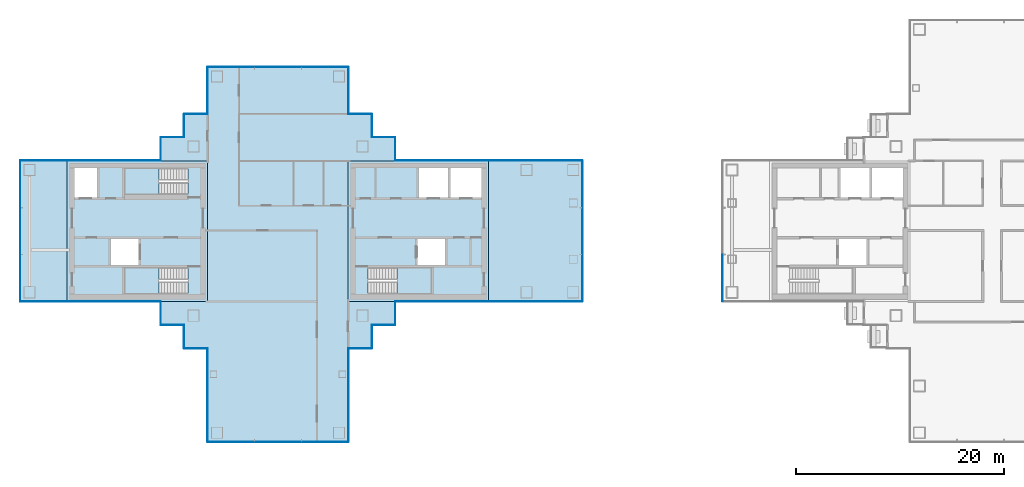
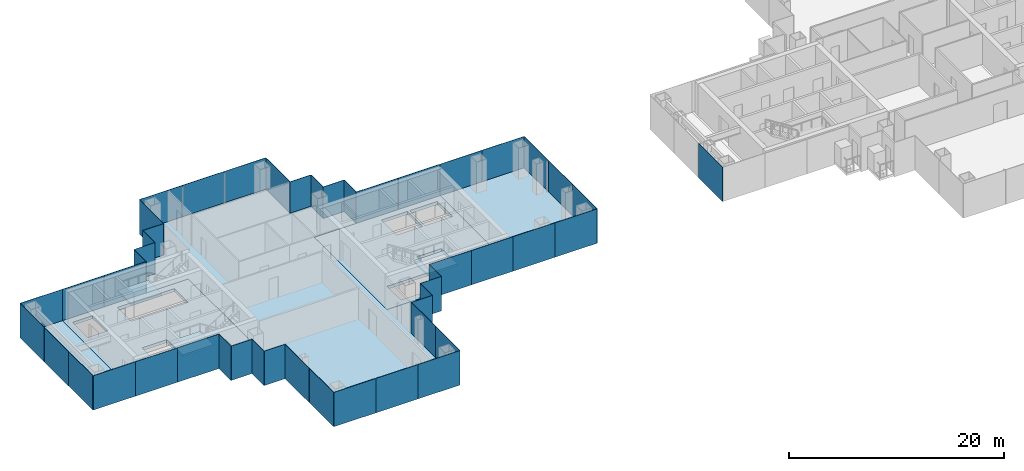
# One storey, part 7 of 16: 49 plates, 8 slabs, 24 elements without a shape of their own.
"""IFC4 building model written with IfcOpenShell, lengths in metres."""

import ifcopenshell
import ifcopenshell.guid

model = None  # the IFC model being written
_history = None  # IfcOwnerHistory: only IFC2X3 demands one
_inside = {}  # id of a spatial element -> (the spatial element, [elements in it])
_under = {}  # id of a project, library or spatial element -> (it, [spatial elements below it])
_declared = {}  # id of a project -> (the project, [libraries it declares])
_typed = {}  # id of a type object -> (the type object, [elements of that type])
_made_of = {}  # id of a material, layer set ... -> (it, [elements and type objects made of it])


def new_model(schema):
    """Start an empty IFC model of exactly this schema.

    Asked for "IFC4X3", IfcOpenShell would pick the latest addendum, in which some entities
    have other attributes; the version numbers below select the first issue.
    IFC2X3 requires an IfcOwnerHistory on every rooted entity: one is made here for all.
    """
    global model, _history
    if schema == "IFC4X3":
        model = ifcopenshell.file(schema_version=(4, 3, 0, 0))
    else:
        model = ifcopenshell.file(schema=schema)
    _inside.clear()
    _under.clear()
    _declared.clear()
    _typed.clear()
    _made_of.clear()
    _history = None
    if model.schema == "IFC2X3":
        org = make("IfcOrganization", Name="unknown")
        user = make(
            "IfcPersonAndOrganization",
            ThePerson=make("IfcPerson", FamilyName="unknown"),
            TheOrganization=org,
        )
        app = make(
            "IfcApplication",
            ApplicationDeveloper=org,
            Version="unknown",
            ApplicationFullName="unknown",
            ApplicationIdentifier="unknown",
        )
        _history = make(
            "IfcOwnerHistory",
            OwningUser=user,
            OwningApplication=app,
            ChangeAction="ADDED",
            CreationDate=0,
        )
    return model


def make(cls, **values):
    """One entity of the class cls with the attributes given. An attribute that is None is left unset."""
    return model.create_entity(
        cls, **{name: value for name, value in values.items() if value is not None}
    )


def rooted(cls, **values):
    """An entity with a GlobalId (a new one), such as an element, a storey or a relation."""
    return make(cls, GlobalId=ifcopenshell.guid.new(), OwnerHistory=_history, **values)


def si_unit(unit_type, name, prefix=None):
    """IfcSIUnit, for example si_unit("LENGTHUNIT", "METRE", prefix="MILLI")."""
    return make("IfcSIUnit", UnitType=unit_type, Prefix=prefix, Name=name)


def assignment(units):
    """IfcUnitAssignment: the units of a project."""
    return None if units is None else make("IfcUnitAssignment", Units=units)


def point(xyz):
    """IfcCartesianPoint."""
    return None if xyz is None else make("IfcCartesianPoint", Coordinates=xyz)


def direction(xyz):
    """IfcDirection."""
    return None if xyz is None else make("IfcDirection", DirectionRatios=xyz)


def frame(location, z_axis=None, x_axis=None):
    """IfcAxis2Placement3D, a coordinate frame: its origin and axes. An axis left out is left unset."""
    return make(
        "IfcAxis2Placement3D",
        Location=point(location),
        Axis=direction(z_axis),
        RefDirection=direction(x_axis),
    )


def frame_2d(location, x_axis=None):
    """IfcAxis2Placement2D, a coordinate frame in the plane: its origin and x axis."""
    return make(
        "IfcAxis2Placement2D", Location=point(location), RefDirection=direction(x_axis)
    )


def origin():
    """The frame at (0, 0, 0) with its axes left unset."""
    return frame((0.0, 0.0, 0.0))


def origin_2d():
    """The frame at (0, 0) in the plane with its x axis left unset."""
    return frame_2d((0.0, 0.0))


def place(relative_to, where):
    """IfcLocalPlacement: puts the frame where relative to a parent placement (None: the world)."""
    return make(
        "IfcLocalPlacement", PlacementRelTo=relative_to, RelativePlacement=where
    )


def context(
    kind, dimensions, precision=None, world=None, true_north=None, identifier=None
):
    """IfcGeometricRepresentationContext, for example the 3D "Model" context."""
    return make(
        "IfcGeometricRepresentationContext",
        ContextIdentifier=identifier,
        ContextType=kind,
        CoordinateSpaceDimension=dimensions,
        Precision=precision,
        WorldCoordinateSystem=world,
        TrueNorth=true_north,
    )


def subcontext(parent, identifier, kind, view, scale=None):
    """IfcGeometricRepresentationSubContext, for example "Body" below "Model"."""
    return make(
        "IfcGeometricRepresentationSubContext",
        ContextIdentifier=identifier,
        ContextType=kind,
        ParentContext=parent,
        TargetScale=scale,
        TargetView=view,
    )


def project(units=None, contexts=None):
    """IfcProject with its units and contexts."""
    return rooted(
        "IfcProject",
        Name="project",
        RepresentationContexts=contexts,
        UnitsInContext=assignment(units),
    )


def spatial(cls, under=None, at=None, **own):
    """A site, building, storey or space (cls), placed at a placement, below another one or the project."""
    s = rooted(cls, ObjectPlacement=at, **own)
    if under is not None:
        _under.setdefault(under.id(), (under, []))[1].append(s)
    return s


def polyline(points):
    """IfcPolyline through the points."""
    return make("IfcPolyline", Points=[point(p) for p in points])


def profile(cls, at=None, kind="AREA", **sizes):
    """A parametric profile (cls). Its sizes go by their IFC names, for example OverallWidth=200.0."""
    return make(cls, ProfileType=kind, Position=at, **sizes)


def rectangle(**sizes):
    """IfcRectangleProfileDef."""
    return profile("IfcRectangleProfileDef", **sizes)


def outline(outer, holes=None, kind="AREA"):
    """IfcArbitraryClosedProfileDef: a profile drawn as a closed curve; with holes, ...WithVoids."""
    if holes is None:
        return make("IfcArbitraryClosedProfileDef", ProfileType=kind, OuterCurve=outer)
    return make(
        "IfcArbitraryProfileDefWithVoids",
        ProfileType=kind,
        OuterCurve=outer,
        InnerCurves=holes,
    )


def extrude(swept, where, along, depth):
    """IfcExtrudedAreaSolid: the profile swept, set in the frame where, extruded along a direction by depth."""
    return make(
        "IfcExtrudedAreaSolid",
        SweptArea=swept,
        Position=where,
        ExtrudedDirection=direction(along),
        Depth=depth,
    )


def shape(context_of_items, identifier, shape_type, items):
    """IfcShapeRepresentation: the items that make up one representation, for example the "Body"."""
    return make(
        "IfcShapeRepresentation",
        ContextOfItems=context_of_items,
        RepresentationIdentifier=identifier,
        RepresentationType=shape_type,
        Items=items,
    )


def material(Name=None, Category=None):
    """IfcMaterial."""
    return make("IfcMaterial", Name=Name, Category=Category)


def layer(
    of_material, thickness, ventilated=None, Name=None, Category=None, Priority=None
):
    """IfcMaterialLayer: one layer of a wall or slab, of a material (None: an air gap)."""
    return make(
        "IfcMaterialLayer",
        Material=of_material,
        LayerThickness=thickness,
        IsVentilated=ventilated,
        Name=Name,
        Category=Category,
        Priority=Priority,
    )


def layer_set(layers, Name=None):
    """IfcMaterialLayerSet."""
    return make("IfcMaterialLayerSet", MaterialLayers=layers, LayerSetName=Name)


def made_of(thing, what):
    """Note that an element or type object is made of a material, layer set ...; save() writes the relation."""
    if what is not None:
        _made_of.setdefault(what.id(), (what, []))[1].append(thing)
    return thing


def type_object(cls, material=None, **own):
    """A type object (cls), such as IfcWallType, which elements share."""
    return made_of(rooted(cls, **own), material)


def element(
    cls,
    number,
    at=None,
    inside=None,
    cuts=None,
    type_object=None,
    material=None,
    context=None,
    identifier="Body",
    shape_type=None,
    held_by="IfcProductDefinitionShape",
    body=None,
    shapes=None,
    **own,
):
    """One element of the class cls, such as IfcWall. Its Tag is "e" and its number.

    at: its placement. inside: the storey or other place that contains it. cuts: it is an
    opening in that element (IfcRelVoidsElement). A single representation is given by context,
    identifier, shape_type and body (its items); several are given by shapes. held_by: the class
    of the entity that holds the representations. save() writes the other relations.
    """
    e = rooted(cls, Tag="e%d" % number, ObjectPlacement=at, **own)
    if body is not None:
        shapes = [shape(context, identifier, shape_type, body)]
    if shapes is not None:
        e.Representation = make(held_by, Representations=shapes)
    if inside is not None:
        _inside.setdefault(inside.id(), (inside, []))[1].append(e)
    if cuts is not None:
        rooted(
            "IfcRelVoidsElement", RelatingBuildingElement=cuts, RelatedOpeningElement=e
        )
    if type_object is not None:
        _typed.setdefault(type_object.id(), (type_object, []))[1].append(e)
    return made_of(e, material)


def aggregate(whole, parts):
    """IfcRelAggregates: a whole, such as a stair, and the parts it consists of."""
    return rooted("IfcRelAggregates", RelatingObject=whole, RelatedObjects=parts)


def save(model, path):
    """Write the relations noted so far, then the file.

    IfcRelAggregates (storeys below a building ...), IfcRelContainedInSpatialStructure (elements
    in a storey), IfcRelDefinesByType, IfcRelAssociatesMaterial and IfcRelDeclares: one each for
    every whole, place, type object, material and project.
    """
    for whole, parts in _under.values():
        aggregate(whole, parts)
    for where, things in _inside.values():
        rooted(
            "IfcRelContainedInSpatialStructure",
            RelatedElements=things,
            RelatingStructure=where,
        )
    for kind, things in _typed.values():
        rooted("IfcRelDefinesByType", RelatedObjects=things, RelatingType=kind)
    for what, things in _made_of.values():
        rooted("IfcRelAssociatesMaterial", RelatedObjects=things, RelatingMaterial=what)
    for by, libraries in _declared.values():
        rooted("IfcRelDeclares", RelatingContext=by, RelatedDefinitions=libraries)
    model.write(path)


model = new_model("IFC4")

# Units and contexts
model_context = context("Model", 3, precision=1e-05, world=origin(), true_north=direction((0.0, 1.0)))
body_context = subcontext(model_context, "Body", "Model", "MODEL_VIEW")
ifc_project = project(units=[si_unit("LENGTHUNIT", "METRE"), si_unit("AREAUNIT", "SQUARE_METRE"), si_unit("VOLUMEUNIT", "CUBIC_METRE"), si_unit("PLANEANGLEUNIT", "RADIAN"), si_unit("MASSUNIT", "GRAM", prefix="KILO")], contexts=[model_context])

# Site, building, storey
site_placement = place(None, origin())
site = spatial("IfcSite", under=ifc_project, at=site_placement, CompositionType="ELEMENT")
building_placement = place(site_placement, origin())
building = spatial("IfcBuilding", under=site, at=building_placement, Name="Shamsa Quay Exchange Towers", CompositionType="ELEMENT")
storey_placement = place(building_placement, frame((0.0, 0.0, 138.89990234375)))
storey = spatial("IfcBuildingStorey", under=building, at=storey_placement, Name="L32", CompositionType="ELEMENT", Elevation=138.89990234375)

# Slabs
ifc_material_1 = material(Name="Concrete C50/60", Category="concrete")
ifc_layer_1 = layer(ifc_material_1, 0.35009765625)
ifc_layer_set_1 = layer_set([ifc_layer_1], Name="CORE FLOOR 350 C50/60")
slab_type_1 = type_object("IfcSlabType", Name="CORE FLOOR 350 C50/60", PredefinedType="FLOOR", material=ifc_layer_set_1)
slab_1_placement = place(storey_placement, frame((0.0, 0.0, -0.349853515625)))
element("IfcSlab", 1, at=slab_1_placement, inside=storey, type_object=slab_type_1, Name="Core floor T1A", PredefinedType="FLOOR", context=body_context, shape_type="SweptSolid", body=[
    extrude(outline(polyline([(-27.0, -6.75), (-13.5, -6.75), (-13.5, 6.75), (-27.0, 6.75), (-27.0, -6.75)]), holes=[polyline([(-25.099365234375, -6.050048828125), (-25.099365234375, -3.5), (-19.0, -3.5), (-19.0, -6.050048828125), (-25.099365234375, -6.050048828125)]), polyline([(-20.199951171875, 3.25), (-20.199951171875, 6.050048828125), (-17.39990234375, 6.050048828125), (-17.39990234375, 3.25), (-20.199951171875, 3.25)]), polyline([(-17.14990234375, 3.25), (-17.14990234375, 6.050048828125), (-14.199951171875, 6.050048828125), (-14.199951171875, 3.25), (-17.14990234375, 3.25)]), polyline([(-20.35009765625, -3.25), (-20.35009765625, -0.75), (-17.699951171875, -0.75), (-17.699951171875, -3.25), (-20.35009765625, -3.25)])]), origin(), (0.0, 0.0, 1.0), 0.349853515625),
])
slab_2_placement = place(storey_placement, frame((0.0, 0.0, -0.349853515625)))
element("IfcSlab", 2, at=slab_2_placement, inside=storey, type_object=slab_type_1, Name="Core floor T1B", PredefinedType="FLOOR", context=body_context, shape_type="SweptSolid", body=[
    extrude(outline(polyline([(-40.5, -6.75), (-40.5, 6.75), (-54.0, 6.75), (-54.0, -6.75), (-40.5, -6.75)]), holes=[polyline([(-42.400634765625, -3.5), (-42.400634765625, -6.050048828125), (-48.5, -6.050048828125), (-48.5, -3.5), (-42.400634765625, -3.5)]), polyline([(-42.400634765625, 6.050048828125), (-42.400634765625, 3.5), (-48.5, 3.5), (-48.5, 6.050048828125), (-42.400634765625, 6.050048828125)]), polyline([(-51.14990234375, 3.25), (-53.300048828125, 3.25), (-53.300048828125, 6.050048828125), (-51.14990234375, 6.050048828125), (-51.14990234375, 3.25)]), polyline([(-47.14990234375, -3.25), (-49.800048828125, -3.25), (-49.800048828125, -0.75), (-47.14990234375, -0.75), (-47.14990234375, -3.25)])]), origin(), (0.0, 0.0, 1.0), 0.349853515625),
])

# Stair, slab
ifc_material_2 = material(Name="Concrete C40/50", Category="concrete")
stair_type = type_object("IfcStairType", Name="EXIT STAIR 22 RISERS 177 MM", PredefinedType="HALF_TURN_STAIR", material=ifc_material_2)
stair_1_placement = place(storey_placement, origin())
stair_1 = element("IfcStair", 3, at=stair_1_placement, inside=storey, type_object=stair_type, Name="L32 Exit stair ST1", PredefinedType="HALF_TURN_STAIR")
ifc_layer_2 = layer(ifc_material_2, 0.199951171875)
ifc_layer_set_2 = layer_set([ifc_layer_2], Name="CORE STAIR LANDING")
slab_type_2 = type_object("IfcSlabType", Name="CORE STAIR LANDING", PredefinedType="LANDING", material=ifc_layer_set_2)
slab_3_placement = place(storey_placement, frame((0.0, 0.0, 1.75)))
slab_3 = element("IfcSlab", 4, at=slab_3_placement, type_object=slab_type_2, Name="ST1 landing 1", PredefinedType="LANDING", context=body_context, shape_type="SweptSolid", body=[
    extrude(outline(polyline([(-22.300048828125, -6.050048828125), (-19.0, -6.050048828125), (-19.0, -3.5), (-22.300048828125, -3.5), (-22.300048828125, -6.050048828125)])), origin(), (0.0, 0.0, 1.0), 0.2001953125),
])
aggregate(stair_1, [slab_3])

stair_2_placement = place(storey_placement, origin())
stair_2 = element("IfcStair", 5, at=stair_2_placement, inside=storey, type_object=stair_type, Name="L32 Exit stair ST2", PredefinedType="HALF_TURN_STAIR")
slab_4_placement = place(storey_placement, frame((0.0, 0.0, 1.75)))
slab_4 = element("IfcSlab", 6, at=slab_4_placement, type_object=slab_type_2, Name="ST2 landing 1", PredefinedType="LANDING", context=body_context, shape_type="SweptSolid", body=[
    extrude(outline(polyline([(-45.199951171875, -3.5), (-48.5, -3.5), (-48.5, -6.050048828125), (-45.199951171875, -6.050048828125), (-45.199951171875, -3.5)])), origin(), (0.0, 0.0, 1.0), 0.2001953125),
])
aggregate(stair_2, [slab_4])

stair_3_placement = place(storey_placement, origin())
stair_3 = element("IfcStair", 7, at=stair_3_placement, inside=storey, type_object=stair_type, Name="L32 Exit stair ST3", PredefinedType="HALF_TURN_STAIR")
slab_5_placement = place(storey_placement, frame((0.0, 0.0, 1.75)))
slab_5 = element("IfcSlab", 8, at=slab_5_placement, type_object=slab_type_2, Name="ST3 landing 1", PredefinedType="LANDING", context=body_context, shape_type="SweptSolid", body=[
    extrude(outline(polyline([(-45.199951171875, 6.050048828125), (-48.5, 6.050048828125), (-48.5, 3.5), (-45.199951171875, 3.5), (-45.199951171875, 6.050048828125)])), origin(), (0.0, 0.0, 1.0), 0.2001953125),
])
aggregate(stair_3, [slab_5])

# Curtain wall, plates
ifc_material_3 = material(Name="Aluminium EN AW-6063 T6, black anodised", Category="aluminium")
ifc_layer_3 = layer(ifc_material_3, 0.280029296875)
ifc_layer_set_3 = layer_set([ifc_layer_3], Name="CW-1 UNITISED VISION GLASS")
curtain_wall_type_1 = type_object("IfcCurtainWallType", Name="CW-1 UNITISED VISION GLASS", PredefinedType="NOTDEFINED", material=ifc_layer_set_3)
curtain_wall_1_placement = place(storey_placement, origin())
curtain_wall_1 = element("IfcCurtainWall", 9, at=curtain_wall_1_placement, inside=storey, type_object=curtain_wall_type_1, Name="CW1 T1-FLK-V-W L32", PredefinedType="NOTDEFINED")
ifc_material_4 = material(Name="Glass, laminated, dark tinted", Category="glass")
ifc_layer_4 = layer(ifc_material_4, 0.0400390625)
ifc_layer_set_4 = layer_set([ifc_layer_4], Name="CW-1 VISION GLASS 40")
plate_type_1 = type_object("IfcPlateType", Name="CW-1 VISION GLASS 40", PredefinedType="CURTAIN_PANEL", material=ifc_layer_set_4)
plate_1_placement = place(storey_placement, frame((-40.52001953125, -13.52587890625, -0.349853515625), z_axis=(0.0, 0.0, 1.0), x_axis=(0.0, -1.0, 0.0)))
plate_1 = element("IfcPlate", 10, at=plate_1_placement, type_object=plate_type_1, Name="CW1 glass panel", PredefinedType="CURTAIN_PANEL", context=body_context, shape_type="SweptSolid", body=[
    extrude(rectangle(XDim=4.47607421875, YDim=0.0400390625, at=origin_2d()), origin(), (0.0, 0.0, 1.0), 3.89990234375),
])
plate_2_placement = place(storey_placement, frame((-40.52001953125, -18.011962890625, -0.349853515625), z_axis=(0.0, 0.0, 1.0), x_axis=(0.0, -1.0, 0.0)))
plate_2 = element("IfcPlate", 11, at=plate_2_placement, type_object=plate_type_1, Name="CW1 glass panel", PredefinedType="CURTAIN_PANEL", context=body_context, shape_type="SweptSolid", body=[
    extrude(rectangle(XDim=4.47607421875, YDim=0.0400390625, at=origin_2d()), origin(), (0.0, 0.0, 1.0), 3.89990234375),
])
aggregate(curtain_wall_1, [plate_1, plate_2])

curtain_wall_2_placement = place(storey_placement, origin())
curtain_wall_2 = element("IfcCurtainWall", 12, at=curtain_wall_2_placement, inside=storey, type_object=curtain_wall_type_1, Name="CW1 T1-END-V- L32", PredefinedType="NOTDEFINED")
plate_3_placement = place(storey_placement, frame((-38.25244140625, -20.27001953125, -0.349853515625)))
plate_3 = element("IfcPlate", 13, at=plate_3_placement, type_object=plate_type_1, Name="CW1 glass panel", PredefinedType="CURTAIN_PANEL", context=body_context, shape_type="SweptSolid", body=[
    extrude(rectangle(XDim=4.4951171875, YDim=0.0400390625, at=origin_2d()), origin(), (0.0, 0.0, 1.0), 3.89990234375),
])
plate_4_placement = place(storey_placement, frame((-33.75, -20.27001953125, -0.349853515625)))
plate_4 = element("IfcPlate", 14, at=plate_4_placement, type_object=plate_type_1, Name="CW1 glass panel", PredefinedType="CURTAIN_PANEL", context=body_context, shape_type="SweptSolid", body=[
    extrude(rectangle(XDim=4.489990234375, YDim=0.0400390625, at=origin_2d()), origin(), (0.0, 0.0, 1.0), 3.89990234375),
])
plate_5_placement = place(storey_placement, frame((-29.24755859375, -20.27001953125, -0.349853515625)))
plate_5 = element("IfcPlate", 15, at=plate_5_placement, type_object=plate_type_1, Name="CW1 glass panel", PredefinedType="CURTAIN_PANEL", context=body_context, shape_type="SweptSolid", body=[
    extrude(rectangle(XDim=4.4951171875, YDim=0.0400390625, at=origin_2d()), origin(), (0.0, 0.0, 1.0), 3.89990234375),
])
aggregate(curtain_wall_2, [plate_3, plate_4, plate_5])

curtain_wall_3_placement = place(storey_placement, origin())
curtain_wall_3 = element("IfcCurtainWall", 16, at=curtain_wall_3_placement, inside=storey, type_object=curtain_wall_type_1, Name="CW1 T1-FLK-V-E L32", PredefinedType="NOTDEFINED")
plate_6_placement = place(storey_placement, frame((-26.97998046875, -18.00244140625, -0.349853515625), z_axis=(0.0, 0.0, 1.0), x_axis=(0.0, 1.0, 0.0)))
plate_6 = element("IfcPlate", 17, at=plate_6_placement, type_object=plate_type_1, Name="CW1 glass panel", PredefinedType="CURTAIN_PANEL", context=body_context, shape_type="SweptSolid", body=[
    extrude(rectangle(XDim=4.4951171875, YDim=0.0400390625, at=origin_2d()), origin(), (0.0, 0.0, 1.0), 3.89990234375),
])
plate_7_placement = place(storey_placement, frame((-26.97998046875, -13.49755859375, -0.349853515625), z_axis=(0.0, 0.0, 1.0), x_axis=(0.0, 1.0, 0.0)))
plate_7 = element("IfcPlate", 18, at=plate_7_placement, type_object=plate_type_1, Name="CW1 glass panel", PredefinedType="CURTAIN_PANEL", context=body_context, shape_type="SweptSolid", body=[
    extrude(rectangle(XDim=4.4951171875, YDim=0.0400390625, at=origin_2d()), origin(), (0.0, 0.0, 1.0), 3.89990234375),
])
aggregate(curtain_wall_3, [plate_6, plate_7])

curtain_wall_4_placement = place(storey_placement, origin())
curtain_wall_4 = element("IfcCurtainWall", 19, at=curtain_wall_4_placement, inside=storey, type_object=curtain_wall_type_1, Name="CW1 T1-FLK-U+S L32", PredefinedType="NOTDEFINED")
plate_8_placement = place(storey_placement, frame((-11.25244140625, -6.77001953125, -0.349853515625)))
plate_8 = element("IfcPlate", 20, at=plate_8_placement, type_object=plate_type_1, Name="CW1 glass panel", PredefinedType="CURTAIN_PANEL", context=body_context, shape_type="SweptSolid", body=[
    extrude(rectangle(XDim=4.4951171875, YDim=0.0400390625, at=origin_2d()), origin(), (0.0, 0.0, 1.0), 3.89990234375),
])
plate_9_placement = place(storey_placement, frame((-6.74755859375, -6.77001953125, -0.349853515625)))
plate_9 = element("IfcPlate", 21, at=plate_9_placement, type_object=plate_type_1, Name="CW1 glass panel", PredefinedType="CURTAIN_PANEL", context=body_context, shape_type="SweptSolid", body=[
    extrude(rectangle(XDim=4.4951171875, YDim=0.0400390625, at=origin_2d()), origin(), (0.0, 0.0, 1.0), 3.89990234375),
])
aggregate(curtain_wall_4, [plate_8, plate_9])

curtain_wall_5_placement = place(storey_placement, origin())
curtain_wall_5 = element("IfcCurtainWall", 22, at=curtain_wall_5_placement, inside=storey, type_object=curtain_wall_type_1, Name="CW1 T1-END-U+ L32", PredefinedType="NOTDEFINED")
plate_10_placement = place(storey_placement, frame((-4.47998046875, -4.50244140625, -0.349853515625), z_axis=(0.0, 0.0, 1.0), x_axis=(0.0, 1.0, 0.0)))
plate_10 = element("IfcPlate", 23, at=plate_10_placement, type_object=plate_type_1, Name="CW1 glass panel", PredefinedType="CURTAIN_PANEL", context=body_context, shape_type="SweptSolid", body=[
    extrude(rectangle(XDim=4.4951171875, YDim=0.0400390625, at=origin_2d()), origin(), (0.0, 0.0, 1.0), 3.89990234375),
])
plate_11_placement = place(storey_placement, frame((-4.47998046875, 0.0, -0.349853515625), z_axis=(0.0, 0.0, 1.0), x_axis=(0.0, 1.0, 0.0)))
plate_11 = element("IfcPlate", 24, at=plate_11_placement, type_object=plate_type_1, Name="CW1 glass panel", PredefinedType="CURTAIN_PANEL", context=body_context, shape_type="SweptSolid", body=[
    extrude(rectangle(XDim=4.489990234375, YDim=0.0400390625, at=origin_2d()), origin(), (0.0, 0.0, 1.0), 3.89990234375),
])
plate_12_placement = place(storey_placement, frame((-4.47998046875, 4.50244140625, -0.349853515625), z_axis=(0.0, 0.0, 1.0), x_axis=(0.0, 1.0, 0.0)))
plate_12 = element("IfcPlate", 25, at=plate_12_placement, type_object=plate_type_1, Name="CW1 glass panel", PredefinedType="CURTAIN_PANEL", context=body_context, shape_type="SweptSolid", body=[
    extrude(rectangle(XDim=4.4951171875, YDim=0.0400390625, at=origin_2d()), origin(), (0.0, 0.0, 1.0), 3.89990234375),
])
aggregate(curtain_wall_5, [plate_10, plate_11, plate_12])

curtain_wall_6_placement = place(storey_placement, origin())
curtain_wall_6 = element("IfcCurtainWall", 26, at=curtain_wall_6_placement, inside=storey, type_object=curtain_wall_type_1, Name="CW1 T1-FLK-U+N L32", PredefinedType="NOTDEFINED")
plate_13_placement = place(storey_placement, frame((-6.74755859375, 6.77001953125, -0.349853515625), z_axis=(0.0, 0.0, 1.0), x_axis=(-1.0, 0.0, 0.0)))
plate_13 = element("IfcPlate", 27, at=plate_13_placement, type_object=plate_type_1, Name="CW1 glass panel", PredefinedType="CURTAIN_PANEL", context=body_context, shape_type="SweptSolid", body=[
    extrude(rectangle(XDim=4.4951171875, YDim=0.0400390625, at=origin_2d()), origin(), (0.0, 0.0, 1.0), 3.89990234375),
])
plate_14_placement = place(storey_placement, frame((-11.25244140625, 6.77001953125, -0.349853515625), z_axis=(0.0, 0.0, 1.0), x_axis=(-1.0, 0.0, 0.0)))
plate_14 = element("IfcPlate", 28, at=plate_14_placement, type_object=plate_type_1, Name="CW1 glass panel", PredefinedType="CURTAIN_PANEL", context=body_context, shape_type="SweptSolid", body=[
    extrude(rectangle(XDim=4.4951171875, YDim=0.0400390625, at=origin_2d()), origin(), (0.0, 0.0, 1.0), 3.89990234375),
])
aggregate(curtain_wall_6, [plate_13, plate_14])

# Curtain wall, plate
curtain_wall_7_placement = place(storey_placement, origin())
curtain_wall_7 = element("IfcCurtainWall", 29, at=curtain_wall_7_placement, inside=storey, type_object=curtain_wall_type_1, Name="CW1 T1-FLK-V+E L32", PredefinedType="NOTDEFINED")
plate_15_placement = place(storey_placement, frame((-26.97998046875, 13.51904296875, -0.349853515625), z_axis=(0.0, 0.0, 1.0), x_axis=(0.0, 1.0, 0.0)))
plate_15 = element("IfcPlate", 30, at=plate_15_placement, type_object=plate_type_1, Name="CW1 glass panel", PredefinedType="CURTAIN_PANEL", context=body_context, shape_type="SweptSolid", body=[
    extrude(rectangle(XDim=4.4619140625, YDim=0.0400390625, at=origin_2d()), origin(), (0.0, 0.0, 1.0), 3.89990234375),
])
aggregate(curtain_wall_7, [plate_15])

# Curtain wall, plates
curtain_wall_8_placement = place(storey_placement, origin())
curtain_wall_8 = element("IfcCurtainWall", 31, at=curtain_wall_8_placement, inside=storey, type_object=curtain_wall_type_1, Name="CW1 T1-END-V+ L32", PredefinedType="NOTDEFINED")
plate_16_placement = place(storey_placement, frame((-29.24755859375, 15.77001953125, -0.349853515625), z_axis=(0.0, 0.0, 1.0), x_axis=(-1.0, 0.0, 0.0)))
plate_16 = element("IfcPlate", 32, at=plate_16_placement, type_object=plate_type_1, Name="CW1 glass panel", PredefinedType="CURTAIN_PANEL", context=body_context, shape_type="SweptSolid", body=[
    extrude(rectangle(XDim=4.4951171875, YDim=0.0400390625, at=origin_2d()), origin(), (0.0, 0.0, 1.0), 3.89990234375),
])
plate_17_placement = place(storey_placement, frame((-33.75, 15.77001953125, -0.349853515625), z_axis=(0.0, 0.0, 1.0), x_axis=(-1.0, 0.0, 0.0)))
plate_17 = element("IfcPlate", 33, at=plate_17_placement, type_object=plate_type_1, Name="CW1 glass panel", PredefinedType="CURTAIN_PANEL", context=body_context, shape_type="SweptSolid", body=[
    extrude(rectangle(XDim=4.489990234375, YDim=0.0400390625, at=origin_2d()), origin(), (0.0, 0.0, 1.0), 3.89990234375),
])
plate_18_placement = place(storey_placement, frame((-38.25244140625, 15.77001953125, -0.349853515625), z_axis=(0.0, 0.0, 1.0), x_axis=(-1.0, 0.0, 0.0)))
plate_18 = element("IfcPlate", 34, at=plate_18_placement, type_object=plate_type_1, Name="CW1 glass panel", PredefinedType="CURTAIN_PANEL", context=body_context, shape_type="SweptSolid", body=[
    extrude(rectangle(XDim=4.4951171875, YDim=0.0400390625, at=origin_2d()), origin(), (0.0, 0.0, 1.0), 3.89990234375),
])
aggregate(curtain_wall_8, [plate_16, plate_17, plate_18])

# Curtain wall, plate
curtain_wall_9_placement = place(storey_placement, origin())
curtain_wall_9 = element("IfcCurtainWall", 35, at=curtain_wall_9_placement, inside=storey, type_object=curtain_wall_type_1, Name="CW1 T1-FLK-V+W L32", PredefinedType="NOTDEFINED")
plate_19_placement = place(storey_placement, frame((-40.52001953125, 13.5, -0.349853515625), z_axis=(0.0, 0.0, 1.0), x_axis=(0.0, -1.0, 0.0)))
plate_19 = element("IfcPlate", 36, at=plate_19_placement, type_object=plate_type_1, Name="CW1 glass panel", PredefinedType="CURTAIN_PANEL", context=body_context, shape_type="SweptSolid", body=[
    extrude(rectangle(XDim=4.5, YDim=0.0400390625, at=origin_2d()), origin(), (0.0, 0.0, 1.0), 3.89990234375),
])
aggregate(curtain_wall_9, [plate_19])

curtain_wall_10_placement = place(storey_placement, origin())
curtain_wall_10 = element("IfcCurtainWall", 37, at=curtain_wall_10_placement, inside=storey, type_object=curtain_wall_type_1, Name="CW1 T1-FLK-U-N L32", PredefinedType="NOTDEFINED")
plate_20_placement = place(storey_placement, frame((-56.25, 6.77001953125, -0.349853515625), z_axis=(0.0, 0.0, 1.0), x_axis=(-1.0, 0.0, 0.0)))
plate_20 = element("IfcPlate", 38, at=plate_20_placement, type_object=plate_type_1, Name="CW1 glass panel", PredefinedType="CURTAIN_PANEL", context=body_context, shape_type="SweptSolid", body=[
    extrude(rectangle(XDim=4.5, YDim=0.0400390625, at=origin_2d()), origin(), (0.0, 0.0, 1.0), 3.89990234375),
])
aggregate(curtain_wall_10, [plate_20])

# Curtain wall, plates
curtain_wall_11_placement = place(storey_placement, origin())
curtain_wall_11 = element("IfcCurtainWall", 39, at=curtain_wall_11_placement, inside=storey, type_object=curtain_wall_type_1, Name="CW1 T1-END-U- L32", PredefinedType="NOTDEFINED")
plate_21_placement = place(storey_placement, frame((-58.52001953125, 4.50244140625, -0.349853515625), z_axis=(0.0, 0.0, 1.0), x_axis=(0.0, -1.0, 0.0)))
plate_21 = element("IfcPlate", 40, at=plate_21_placement, type_object=plate_type_1, Name="CW1 glass panel", PredefinedType="CURTAIN_PANEL", context=body_context, shape_type="SweptSolid", body=[
    extrude(rectangle(XDim=4.4951171875, YDim=0.0400390625, at=origin_2d()), origin(), (0.0, 0.0, 1.0), 3.89990234375),
])
plate_22_placement = place(storey_placement, frame((-58.52001953125, 0.0, -0.349853515625), z_axis=(0.0, 0.0, 1.0), x_axis=(0.0, -1.0, 0.0)))
plate_22 = element("IfcPlate", 41, at=plate_22_placement, type_object=plate_type_1, Name="CW1 glass panel", PredefinedType="CURTAIN_PANEL", context=body_context, shape_type="SweptSolid", body=[
    extrude(rectangle(XDim=4.489990234375, YDim=0.0400390625, at=origin_2d()), origin(), (0.0, 0.0, 1.0), 3.89990234375),
])
plate_23_placement = place(storey_placement, frame((-58.52001953125, -4.50244140625, -0.349853515625), z_axis=(0.0, 0.0, 1.0), x_axis=(0.0, -1.0, 0.0)))
plate_23 = element("IfcPlate", 42, at=plate_23_placement, type_object=plate_type_1, Name="CW1 glass panel", PredefinedType="CURTAIN_PANEL", context=body_context, shape_type="SweptSolid", body=[
    extrude(rectangle(XDim=4.4951171875, YDim=0.0400390625, at=origin_2d()), origin(), (0.0, 0.0, 1.0), 3.89990234375),
])
aggregate(curtain_wall_11, [plate_21, plate_22, plate_23])

# Curtain wall, plate
curtain_wall_12_placement = place(storey_placement, origin())
curtain_wall_12 = element("IfcCurtainWall", 43, at=curtain_wall_12_placement, inside=storey, type_object=curtain_wall_type_1, Name="CW1 T1-FLK-U-S L32", PredefinedType="NOTDEFINED")
plate_24_placement = place(storey_placement, frame((-56.25, -6.77001953125, -0.349853515625)))
plate_24 = element("IfcPlate", 44, at=plate_24_placement, type_object=plate_type_1, Name="CW1 glass panel", PredefinedType="CURTAIN_PANEL", context=body_context, shape_type="SweptSolid", body=[
    extrude(rectangle(XDim=4.5, YDim=0.0400390625, at=origin_2d()), origin(), (0.0, 0.0, 1.0), 3.89990234375),
])
aggregate(curtain_wall_12, [plate_24])

curtain_wall_13_placement = place(storey_placement, origin())
curtain_wall_13 = element("IfcCurtainWall", 45, at=curtain_wall_13_placement, inside=storey, type_object=curtain_wall_type_1, Name="CW1 T2-END-V+ L32", PredefinedType="NOTDEFINED")
plate_25_placement = place(storey_placement, frame((8.97998046875, -4.50244140625, -0.349853515625), z_axis=(0.0, 0.0, 1.0), x_axis=(0.0, -1.0, 0.0)))
plate_25 = element("IfcPlate", 46, at=plate_25_placement, type_object=plate_type_1, Name="CW1 glass panel", PredefinedType="CURTAIN_PANEL", context=body_context, shape_type="SweptSolid", body=[
    extrude(rectangle(XDim=4.4951171875, YDim=0.0400390625, at=origin_2d()), origin(), (0.0, 0.0, 1.0), 3.89990234375),
])
aggregate(curtain_wall_13, [plate_25])

# Curtain wall, plates
ifc_layer_5 = layer(ifc_material_3, 0.303955078125)
ifc_layer_set_5 = layer_set([ifc_layer_5], Name="CW-2 UNITISED OPAQUE SPANDREL GLASS")
curtain_wall_type_2 = type_object("IfcCurtainWallType", Name="CW-2 UNITISED OPAQUE SPANDREL GLASS", PredefinedType="NOTDEFINED", material=ifc_layer_set_5)
curtain_wall_14_placement = place(storey_placement, origin())
curtain_wall_14 = element("IfcCurtainWall", 47, at=curtain_wall_14_placement, inside=storey, type_object=curtain_wall_type_2, Name="CW2 T1-FLK-U+S L32", PredefinedType="NOTDEFINED")
ifc_material_5 = material(Name="Glass, laminated, black enamelled opaque", Category="glass")
ifc_layer_6 = layer(ifc_material_5, 0.0439453125)
ifc_layer_set_6 = layer_set([ifc_layer_6], Name="CW-2 SPANDREL GLASS 44")
plate_type_2 = type_object("IfcPlateType", Name="CW-2 SPANDREL GLASS 44", PredefinedType="CURTAIN_PANEL", material=ifc_layer_set_6)
plate_26_placement = place(storey_placement, frame((-20.22412109375, -6.77197265625, -0.349853515625)))
plate_26 = element("IfcPlate", 48, at=plate_26_placement, type_object=plate_type_2, Name="CW2 glass panel", PredefinedType="CURTAIN_PANEL", context=body_context, shape_type="SweptSolid", body=[
    extrude(rectangle(XDim=4.47607421875, YDim=0.0439453125, at=origin_2d()), origin(), (0.0, 0.0, 1.0), 3.89990234375),
])
plate_27_placement = place(storey_placement, frame((-15.738037109375, -6.77197265625, -0.349853515625)))
plate_27 = element("IfcPlate", 49, at=plate_27_placement, type_object=plate_type_2, Name="CW2 glass panel", PredefinedType="CURTAIN_PANEL", context=body_context, shape_type="SweptSolid", body=[
    extrude(rectangle(XDim=4.47607421875, YDim=0.0439453125, at=origin_2d()), origin(), (0.0, 0.0, 1.0), 3.89990234375),
])
aggregate(curtain_wall_14, [plate_26, plate_27])

curtain_wall_15_placement = place(storey_placement, origin())
curtain_wall_15 = element("IfcCurtainWall", 50, at=curtain_wall_15_placement, inside=storey, type_object=curtain_wall_type_2, Name="CW2 T1-FLK-U+N L32", PredefinedType="NOTDEFINED")
plate_28_placement = place(storey_placement, frame((-15.74755859375, 6.77197265625, -0.349853515625), z_axis=(0.0, 0.0, 1.0), x_axis=(-1.0, 0.0, 0.0)))
plate_28 = element("IfcPlate", 51, at=plate_28_placement, type_object=plate_type_2, Name="CW2 glass panel", PredefinedType="CURTAIN_PANEL", context=body_context, shape_type="SweptSolid", body=[
    extrude(rectangle(XDim=4.4951171875, YDim=0.0439453125, at=origin_2d()), origin(), (0.0, 0.0, 1.0), 3.89990234375),
])
plate_29_placement = place(storey_placement, frame((-20.25244140625, 6.77197265625, -0.349853515625), z_axis=(0.0, 0.0, 1.0), x_axis=(-1.0, 0.0, 0.0)))
plate_29 = element("IfcPlate", 52, at=plate_29_placement, type_object=plate_type_2, Name="CW2 glass panel", PredefinedType="CURTAIN_PANEL", context=body_context, shape_type="SweptSolid", body=[
    extrude(rectangle(XDim=4.4951171875, YDim=0.0439453125, at=origin_2d()), origin(), (0.0, 0.0, 1.0), 3.89990234375),
])
aggregate(curtain_wall_15, [plate_28, plate_29])

curtain_wall_16_placement = place(storey_placement, origin())
curtain_wall_16 = element("IfcCurtainWall", 53, at=curtain_wall_16_placement, inside=storey, type_object=curtain_wall_type_2, Name="CW2 T1-FLK-U-N L32", PredefinedType="NOTDEFINED")
plate_30_placement = place(storey_placement, frame((-47.27587890625, 6.77197265625, -0.349853515625), z_axis=(0.0, 0.0, 1.0), x_axis=(-1.0, 0.0, 0.0)))
plate_30 = element("IfcPlate", 54, at=plate_30_placement, type_object=plate_type_2, Name="CW2 glass panel", PredefinedType="CURTAIN_PANEL", context=body_context, shape_type="SweptSolid", body=[
    extrude(rectangle(XDim=4.47607421875, YDim=0.0439453125, at=origin_2d()), origin(), (0.0, 0.0, 1.0), 3.89990234375),
])
plate_31_placement = place(storey_placement, frame((-51.761962890625, 6.77197265625, -0.349853515625), z_axis=(0.0, 0.0, 1.0), x_axis=(-1.0, 0.0, 0.0)))
plate_31 = element("IfcPlate", 55, at=plate_31_placement, type_object=plate_type_2, Name="CW2 glass panel", PredefinedType="CURTAIN_PANEL", context=body_context, shape_type="SweptSolid", body=[
    extrude(rectangle(XDim=4.47607421875, YDim=0.0439453125, at=origin_2d()), origin(), (0.0, 0.0, 1.0), 3.89990234375),
])
aggregate(curtain_wall_16, [plate_30, plate_31])

curtain_wall_17_placement = place(storey_placement, origin())
curtain_wall_17 = element("IfcCurtainWall", 56, at=curtain_wall_17_placement, inside=storey, type_object=curtain_wall_type_2, Name="CW2 T1-FLK-U-S L32", PredefinedType="NOTDEFINED")
plate_32_placement = place(storey_placement, frame((-51.75244140625, -6.77197265625, -0.349853515625)))
plate_32 = element("IfcPlate", 57, at=plate_32_placement, type_object=plate_type_2, Name="CW2 glass panel", PredefinedType="CURTAIN_PANEL", context=body_context, shape_type="SweptSolid", body=[
    extrude(rectangle(XDim=4.4951171875, YDim=0.0439453125, at=origin_2d()), origin(), (0.0, 0.0, 1.0), 3.89990234375),
])
plate_33_placement = place(storey_placement, frame((-47.24755859375, -6.77197265625, -0.349853515625)))
plate_33 = element("IfcPlate", 58, at=plate_33_placement, type_object=plate_type_2, Name="CW2 glass panel", PredefinedType="CURTAIN_PANEL", context=body_context, shape_type="SweptSolid", body=[
    extrude(rectangle(XDim=4.4951171875, YDim=0.0439453125, at=origin_2d()), origin(), (0.0, 0.0, 1.0), 3.89990234375),
])
aggregate(curtain_wall_17, [plate_32, plate_33])

ifc_layer_7 = layer(ifc_material_3, 0.256103515625)
ifc_layer_set_7 = layer_set([ifc_layer_7], Name="CW-4 POCKET SERRATED GLAZING")
curtain_wall_type_3 = type_object("IfcCurtainWallType", Name="CW-4 POCKET SERRATED GLAZING", PredefinedType="NOTDEFINED", material=ifc_layer_set_7)
curtain_wall_18_placement = place(storey_placement, origin())
curtain_wall_18 = element("IfcCurtainWall", 59, at=curtain_wall_18_placement, inside=storey, type_object=curtain_wall_type_3, Name="CW4 PKWS L32", PredefinedType="NOTDEFINED")
ifc_layer_8 = layer(ifc_material_4, 0.035888671875)
ifc_layer_set_8 = layer_set([ifc_layer_8], Name="CW-4 POCKET GLASS 36")
plate_type_3 = type_object("IfcPlateType", Name="CW-4 POCKET GLASS 36", PredefinedType="CURTAIN_PANEL", material=ifc_layer_set_8)
plate_34_placement = place(storey_placement, frame((-42.76806640625, -10.14404296875, -0.349853515625), z_axis=(0.0, 0.0, 1.0), x_axis=(0.0, -1.0, 0.0)))
plate_34 = element("IfcPlate", 60, at=plate_34_placement, type_object=plate_type_3, Name="CW4 glass panel", PredefinedType="CURTAIN_PANEL", context=body_context, shape_type="SweptSolid", body=[
    extrude(rectangle(XDim=2.2119140625, YDim=0.035888671875, at=origin_2d()), origin(), (0.0, 0.0, 1.0), 3.89990234375),
])
plate_35_placement = place(storey_placement, frame((-41.625, -11.26806640625, -0.349853515625)))
plate_35 = element("IfcPlate", 61, at=plate_35_placement, type_object=plate_type_3, Name="CW4 glass panel", PredefinedType="CURTAIN_PANEL", context=body_context, shape_type="SweptSolid", body=[
    extrude(rectangle(XDim=2.25, YDim=0.035888671875, at=origin_2d()), origin(), (0.0, 0.0, 1.0), 3.89990234375),
])
plate_36_placement = place(storey_placement, frame((-45.01806640625, -7.89794921875, -0.349853515625), z_axis=(0.0, 0.0, 1.0), x_axis=(0.0, -1.0, 0.0)))
plate_36 = element("IfcPlate", 62, at=plate_36_placement, type_object=plate_type_3, Name="CW4 glass panel", PredefinedType="CURTAIN_PANEL", context=body_context, shape_type="SweptSolid", body=[
    extrude(rectangle(XDim=2.2041015625, YDim=0.035888671875, at=origin_2d()), origin(), (0.0, 0.0, 1.0), 3.89990234375),
])
plate_37_placement = place(storey_placement, frame((-43.875, -9.01806640625, -0.349853515625)))
plate_37 = element("IfcPlate", 63, at=plate_37_placement, type_object=plate_type_3, Name="CW4 glass panel", PredefinedType="CURTAIN_PANEL", context=body_context, shape_type="SweptSolid", body=[
    extrude(rectangle(XDim=2.25, YDim=0.035888671875, at=origin_2d()), origin(), (0.0, 0.0, 1.0), 3.89990234375),
])
aggregate(curtain_wall_18, [plate_34, plate_35, plate_36, plate_37])

curtain_wall_19_placement = place(storey_placement, origin())
curtain_wall_19 = element("IfcCurtainWall", 64, at=curtain_wall_19_placement, inside=storey, type_object=curtain_wall_type_3, Name="CW4 PKES L32", PredefinedType="NOTDEFINED")
plate_38_placement = place(storey_placement, frame((-25.85400390625, -11.26806640625, -0.349853515625)))
plate_38 = element("IfcPlate", 65, at=plate_38_placement, type_object=plate_type_3, Name="CW4 glass panel", PredefinedType="CURTAIN_PANEL", context=body_context, shape_type="SweptSolid", body=[
    extrude(rectangle(XDim=2.2080078125, YDim=0.035888671875, at=origin_2d()), origin(), (0.0, 0.0, 1.0), 3.89990234375),
])
plate_39_placement = place(storey_placement, frame((-24.73193359375, -10.125, -0.349853515625), z_axis=(0.0, 0.0, 1.0), x_axis=(0.0, 1.0, 0.0)))
plate_39 = element("IfcPlate", 66, at=plate_39_placement, type_object=plate_type_3, Name="CW4 glass panel", PredefinedType="CURTAIN_PANEL", context=body_context, shape_type="SweptSolid", body=[
    extrude(rectangle(XDim=2.25, YDim=0.035888671875, at=origin_2d()), origin(), (0.0, 0.0, 1.0), 3.89990234375),
])
plate_40_placement = place(storey_placement, frame((-23.60595703125, -9.01806640625, -0.349853515625)))
plate_40 = element("IfcPlate", 67, at=plate_40_placement, type_object=plate_type_3, Name="CW4 glass panel", PredefinedType="CURTAIN_PANEL", context=body_context, shape_type="SweptSolid", body=[
    extrude(rectangle(XDim=2.2119140625, YDim=0.035888671875, at=origin_2d()), origin(), (0.0, 0.0, 1.0), 3.89990234375),
])
plate_41_placement = place(storey_placement, frame((-22.48193359375, -7.875, -0.349853515625), z_axis=(0.0, 0.0, 1.0), x_axis=(0.0, 1.0, 0.0)))
plate_41 = element("IfcPlate", 68, at=plate_41_placement, type_object=plate_type_3, Name="CW4 glass panel", PredefinedType="CURTAIN_PANEL", context=body_context, shape_type="SweptSolid", body=[
    extrude(rectangle(XDim=2.25, YDim=0.035888671875, at=origin_2d()), origin(), (0.0, 0.0, 1.0), 3.89990234375),
])
aggregate(curtain_wall_19, [plate_38, plate_39, plate_40, plate_41])

curtain_wall_20_placement = place(storey_placement, origin())
curtain_wall_20 = element("IfcCurtainWall", 69, at=curtain_wall_20_placement, inside=storey, type_object=curtain_wall_type_3, Name="CW4 PKEN L32", PredefinedType="NOTDEFINED")
plate_42_placement = place(storey_placement, frame((-22.48193359375, 7.89794921875, -0.349853515625), z_axis=(0.0, 0.0, 1.0), x_axis=(0.0, 1.0, 0.0)))
plate_42 = element("IfcPlate", 70, at=plate_42_placement, type_object=plate_type_3, Name="CW4 glass panel", PredefinedType="CURTAIN_PANEL", context=body_context, shape_type="SweptSolid", body=[
    extrude(rectangle(XDim=2.2041015625, YDim=0.035888671875, at=origin_2d()), origin(), (0.0, 0.0, 1.0), 3.89990234375),
])
plate_43_placement = place(storey_placement, frame((-23.625, 9.01806640625, -0.349853515625), z_axis=(0.0, 0.0, 1.0), x_axis=(-1.0, 0.0, 0.0)))
plate_43 = element("IfcPlate", 71, at=plate_43_placement, type_object=plate_type_3, Name="CW4 glass panel", PredefinedType="CURTAIN_PANEL", context=body_context, shape_type="SweptSolid", body=[
    extrude(rectangle(XDim=2.25, YDim=0.035888671875, at=origin_2d()), origin(), (0.0, 0.0, 1.0), 3.89990234375),
])
plate_44_placement = place(storey_placement, frame((-24.73193359375, 10.14404296875, -0.349853515625), z_axis=(0.0, 0.0, 1.0), x_axis=(0.0, 1.0, 0.0)))
plate_44 = element("IfcPlate", 72, at=plate_44_placement, type_object=plate_type_3, Name="CW4 glass panel", PredefinedType="CURTAIN_PANEL", context=body_context, shape_type="SweptSolid", body=[
    extrude(rectangle(XDim=2.2119140625, YDim=0.035888671875, at=origin_2d()), origin(), (0.0, 0.0, 1.0), 3.89990234375),
])
plate_45_placement = place(storey_placement, frame((-25.875, 11.26806640625, -0.349853515625), z_axis=(0.0, 0.0, 1.0), x_axis=(-1.0, 0.0, 0.0)))
plate_45 = element("IfcPlate", 73, at=plate_45_placement, type_object=plate_type_3, Name="CW4 glass panel", PredefinedType="CURTAIN_PANEL", context=body_context, shape_type="SweptSolid", body=[
    extrude(rectangle(XDim=2.25, YDim=0.035888671875, at=origin_2d()), origin(), (0.0, 0.0, 1.0), 3.89990234375),
])
aggregate(curtain_wall_20, [plate_42, plate_43, plate_44, plate_45])

curtain_wall_21_placement = place(storey_placement, origin())
curtain_wall_21 = element("IfcCurtainWall", 74, at=curtain_wall_21_placement, inside=storey, type_object=curtain_wall_type_3, Name="CW4 PKWN L32", PredefinedType="NOTDEFINED")
plate_46_placement = place(storey_placement, frame((-41.64599609375, 11.26806640625, -0.349853515625), z_axis=(0.0, 0.0, 1.0), x_axis=(-1.0, 0.0, 0.0)))
plate_46 = element("IfcPlate", 75, at=plate_46_placement, type_object=plate_type_3, Name="CW4 glass panel", PredefinedType="CURTAIN_PANEL", context=body_context, shape_type="SweptSolid", body=[
    extrude(rectangle(XDim=2.2080078125, YDim=0.035888671875, at=origin_2d()), origin(), (0.0, 0.0, 1.0), 3.89990234375),
])
plate_47_placement = place(storey_placement, frame((-42.76806640625, 10.125, -0.349853515625), z_axis=(0.0, 0.0, 1.0), x_axis=(0.0, -1.0, 0.0)))
plate_47 = element("IfcPlate", 76, at=plate_47_placement, type_object=plate_type_3, Name="CW4 glass panel", PredefinedType="CURTAIN_PANEL", context=body_context, shape_type="SweptSolid", body=[
    extrude(rectangle(XDim=2.25, YDim=0.035888671875, at=origin_2d()), origin(), (0.0, 0.0, 1.0), 3.89990234375),
])
plate_48_placement = place(storey_placement, frame((-43.89404296875, 9.01806640625, -0.349853515625), z_axis=(0.0, 0.0, 1.0), x_axis=(-1.0, 0.0, 0.0)))
plate_48 = element("IfcPlate", 77, at=plate_48_placement, type_object=plate_type_3, Name="CW4 glass panel", PredefinedType="CURTAIN_PANEL", context=body_context, shape_type="SweptSolid", body=[
    extrude(rectangle(XDim=2.2119140625, YDim=0.035888671875, at=origin_2d()), origin(), (0.0, 0.0, 1.0), 3.89990234375),
])
plate_49_placement = place(storey_placement, frame((-45.01806640625, 7.875, -0.349853515625), z_axis=(0.0, 0.0, 1.0), x_axis=(0.0, -1.0, 0.0)))
plate_49 = element("IfcPlate", 78, at=plate_49_placement, type_object=plate_type_3, Name="CW4 glass panel", PredefinedType="CURTAIN_PANEL", context=body_context, shape_type="SweptSolid", body=[
    extrude(rectangle(XDim=2.25, YDim=0.035888671875, at=origin_2d()), origin(), (0.0, 0.0, 1.0), 3.89990234375),
])
aggregate(curtain_wall_21, [plate_46, plate_47, plate_48, plate_49])

# Slabs
ifc_layer_9 = layer(ifc_material_2, 0.35009765625)
ifc_layer_set_9 = layer_set([ifc_layer_9], Name="Flat slab 350")
slab_type_3 = type_object("IfcSlabType", Name="Flat slab 350", PredefinedType="FLOOR", material=ifc_layer_set_9)
slab_6_placement = place(storey_placement, frame((0.0, 0.0, -0.349853515625)))
element("IfcSlab", 79, at=slab_6_placement, inside=storey, type_object=slab_type_3, Name="Flat slab T1 L32 1", PredefinedType="FLOOR", context=body_context, shape_type="SweptSolid", body=[
    extrude(outline(polyline([(-58.5, -6.75), (-54.0, -6.75), (-54.0, 6.75), (-58.5, 6.75), (-58.5, -6.75)])), origin(), (0.0, 0.0, 1.0), 0.349853515625),
])
slab_7_placement = place(storey_placement, frame((0.0, 0.0, -0.349853515625)))
element("IfcSlab", 80, at=slab_7_placement, inside=storey, type_object=slab_type_3, Name="Flat slab T1 L32 2", PredefinedType="FLOOR", context=body_context, shape_type="SweptSolid", body=[
    extrude(outline(polyline([(-22.5, -9.0), (-22.5, -6.75), (-27.0, -6.75), (-27.0, 6.75), (-22.5, 6.75), (-22.5, 9.0), (-24.75, 9.0), (-24.75, 11.25), (-27.0, 11.25), (-27.0, 15.75), (-40.5, 15.75), (-40.5, 11.25), (-42.75, 11.25), (-42.75, 9.0), (-45.0, 9.0), (-45.0, 6.75), (-40.5, 6.75), (-40.5, -6.75), (-45.0, -6.75), (-45.0, -9.0), (-42.75, -9.0), (-42.75, -11.25), (-40.5, -11.25), (-40.5, -20.25), (-27.0, -20.25), (-27.0, -11.25), (-24.75, -11.25), (-24.75, -9.0), (-22.5, -9.0)])), origin(), (0.0, 0.0, 1.0), 0.349853515625),
])
slab_8_placement = place(storey_placement, frame((0.0, 0.0, -0.349853515625)))
element("IfcSlab", 81, at=slab_8_placement, inside=storey, type_object=slab_type_3, Name="Flat slab T1 L32 3", PredefinedType="FLOOR", context=body_context, shape_type="SweptSolid", body=[
    extrude(outline(polyline([(-4.5, 6.75), (-13.5, 6.75), (-13.5, -6.75), (-4.5, -6.75), (-4.5, 6.75)])), origin(), (0.0, 0.0, 1.0), 0.349853515625),
])

save(model, "model.ifc")
